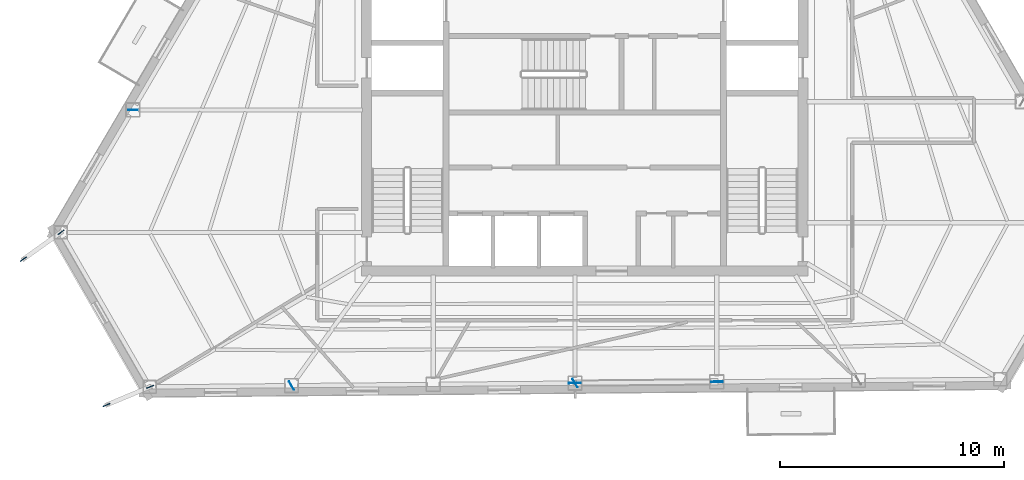
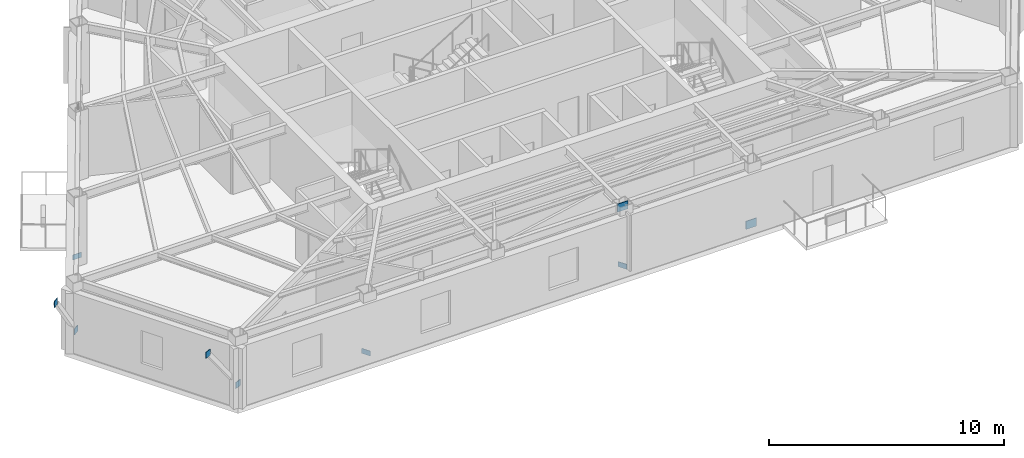
# One storey, part 4 of 14: 9 plates.
"""IFC4 building model written with IfcOpenShell, lengths in metres."""

from ifc_helpers import new_model, si_unit, direction, frame, origin, origin_2d, place, context, subcontext, project, spatial, rectangle, extrude, material, layer, layer_set, type_object, element, save


model = new_model("IFC4")

# Units and contexts
model_context = context("Model", 3, precision=1e-05, world=origin(), true_north=direction((0.0, 1.0)))
body_context = subcontext(model_context, "Body", "Model", "MODEL_VIEW")
ifc_project = project(units=[si_unit("LENGTHUNIT", "METRE"), si_unit("AREAUNIT", "SQUARE_METRE"), si_unit("VOLUMEUNIT", "CUBIC_METRE"), si_unit("PLANEANGLEUNIT", "RADIAN"), si_unit("MASSUNIT", "GRAM", prefix="KILO")], contexts=[model_context])

# Site, building, storey
site_placement = place(None, origin())
site = spatial("IfcSite", under=ifc_project, at=site_placement, CompositionType="ELEMENT")
building_placement = place(site_placement, origin())
building = spatial("IfcBuilding", under=site, at=building_placement, Name="Kavelnor Concourse Tower", CompositionType="ELEMENT")
storey_placement = place(building_placement, frame((0.0, 0.0, 215.050048828125)))
storey = spatial("IfcBuildingStorey", under=building, at=storey_placement, Name="L54", CompositionType="ELEMENT", Elevation=215.050048828125)

# Plates
ifc_material = material(Name="Steel Grade 350", Category="steel")
ifc_layer_1 = layer(ifc_material, 0.028076171875, Name="Steel Grade 350")
ifc_layer_set_1 = layer_set([ifc_layer_1], Name="Steel Grade 350")
plate_type_1 = type_object("IfcPlateType", Name="PL-GUSSET-FOLD", PredefinedType="USERDEFINED", material=ifc_layer_set_1)
for number, where, z_axis, x_axis, name in (
    (1, (14.615234375, 11.10791015625, 0.73974609375), (0.0, 0.0, 1.0), (-0.813811351416, -0.581129145979, 0.0), "L54 Terrace Strut Gusset GP4 C1-A End Gusset A"),
    (2, (12.927734375, 9.902587890625, 3.47509765625), (0.0, 0.0, 1.0), (-0.813811351416, -0.581129145979, 0.0), "L54 Terrace Strut Gusset GP4 C1-A End Gusset B"),
    (3, (18.588623046875, 4.205322265625, 0.73974609375), (0.0, 0.0, 1.0), (-0.922874504689, -0.385100829128, 0.0), "L54 Terrace Strut Gusset GP4 C1-B End Gusset A"),
    (4, (16.642822265625, 3.393310546875, 3.47509765625), (0.0, 0.0, 1.0), (-0.922874504689, -0.385100829128, 0.0), "L54 Terrace Strut Gusset GP4 C1-B End Gusset B"),
):
    element("IfcPlate", number, at=place(storey_placement, frame(where, z_axis=z_axis, x_axis=x_axis)), inside=storey, type_object=plate_type_1, Name=name, ObjectType="GUSSET_PLATE", PredefinedType="USERDEFINED", context=body_context, shape_type="SweptSolid", body=[
        extrude(rectangle(XDim=0.340087890625, YDim=0.028076171875, at=origin_2d()), origin(), (0.0, 0.0, 1.0), 0.320068359375),
    ])
ifc_layer_2 = layer(ifc_material, 0.031982421875, Name="Steel Grade 350")
ifc_layer_set_2 = layer_set([ifc_layer_2], Name="Steel Grade 350")
plate_type_2 = type_object("IfcPlateType", Name="PL-GUSSET-TUBE-Z1", PredefinedType="USERDEFINED", material=ifc_layer_set_2)
for number, where, z_axis, x_axis, name in (
    (5, (43.906494140625, 4.428466796875, 0.010009765625), (0.0, 0.0, 1.0), (-0.999958816008, -0.009075587519, 0.0), "L54 Tube Brace Gusset GP3 F1-B3 End Gusset A"),
    (6, (37.55322265625, 4.371337890625, 3.159912109375), (0.0, 0.0, 1.0), (-0.999958816008, -0.009075587519, 0.0), "L54 Tube Brace Gusset GP3 F1-B3 End Gusset B"),
):
    element("IfcPlate", number, at=place(storey_placement, frame(where, z_axis=z_axis, x_axis=x_axis)), inside=storey, type_object=plate_type_2, Name=name, ObjectType="GUSSET_PLATE", PredefinedType="USERDEFINED", context=body_context, shape_type="SweptSolid", body=[
        extrude(rectangle(XDim=0.52001953125, YDim=0.031982421875, at=origin_2d()), origin(), (0.0, 0.0, 1.0), 0.419921875),
    ])
ifc_layer_3 = layer(ifc_material, 0.02490234375, Name="Steel Grade 350")
ifc_layer_set_3 = layer_set([ifc_layer_3], Name="Steel Grade 350")
plate_type_3 = type_object("IfcPlateType", Name="PL-SPLICE-FLANGE", PredefinedType="SHEET", material=ifc_layer_set_3)
for number, where, z_axis, x_axis, name in (
    (7, (17.819580078125, 16.5703125, 0.169921875), (0.0, 0.0, 1.0), (1.0, 0.0, 0.0), "L54 Column Flange Splice Plate F0-B5"),
    (8, (24.90673828125, 4.257568359375, 0.169921875), (0.0, 0.0, 1.0), (-0.5, 0.866025403784, 0.0), "L54 Column Flange Splice Plate F1-B1"),
    (9, (37.565185546875, 4.37158203125, 0.169921875), (0.0, 0.0, 1.0), (-0.5, 0.866025403784, 0.0), "L54 Column Flange Splice Plate F1-B3"),
):
    element("IfcPlate", number, at=place(storey_placement, frame(where, z_axis=z_axis, x_axis=x_axis)), inside=storey, type_object=plate_type_3, Name=name, PredefinedType="SHEET", context=body_context, shape_type="SweptSolid", body=[
        extrude(rectangle(XDim=0.419921875, YDim=0.02490234375, at=origin_2d()), origin(), (0.0, 0.0, 1.0), 0.260009765625),
    ])

save(model, "model.ifc")
